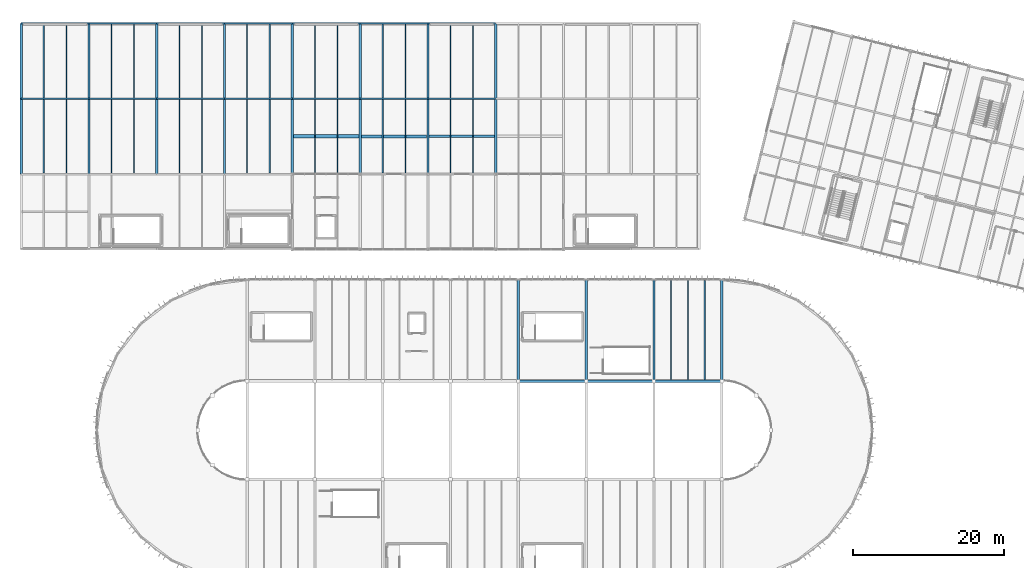
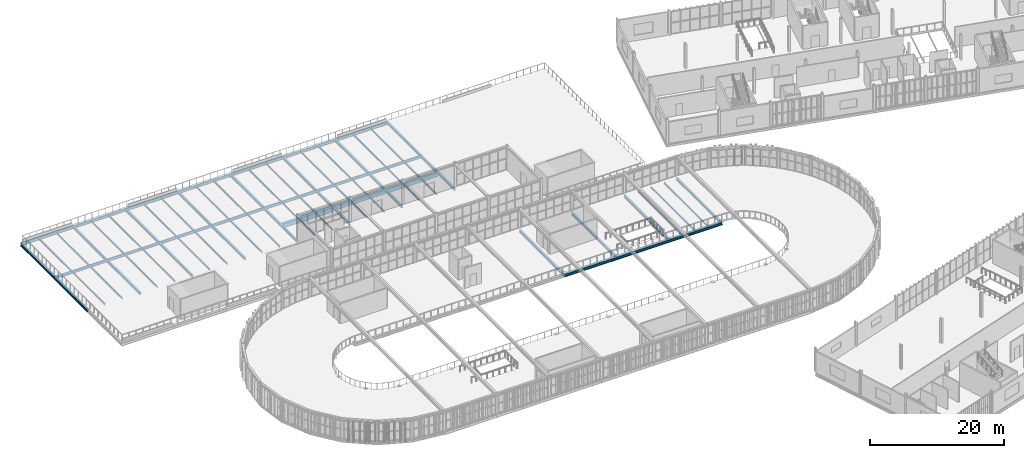
# One storey, part 65 of 152: 71 beams.
"""IFC4 building model written with IfcOpenShell, lengths in metres."""

from ifc_helpers import new_model, si_unit, derived_unit, direction, frame, origin, origin_2d, place, context, subcontext, project, spatial, rectangle, i_section, extrude, material, material_profile, profile_set, type_object, element, save


model = new_model("IFC4")

# Units and contexts
model_context = context("Model", 3, precision=1e-05, world=origin(), true_north=direction((0.0, 1.0)))
body_context = subcontext(model_context, "Body", "Model", "MODEL_VIEW")
ifc_project = project(units=[si_unit("LENGTHUNIT", "METRE"), si_unit("AREAUNIT", "SQUARE_METRE"), si_unit("VOLUMEUNIT", "CUBIC_METRE"), si_unit("PLANEANGLEUNIT", "RADIAN"), si_unit("MASSUNIT", "GRAM", prefix="KILO"), si_unit("THERMODYNAMICTEMPERATUREUNIT", "KELVIN"), si_unit("TIMEUNIT", "SECOND"), derived_unit("THERMALTRANSMITTANCEUNIT", [(si_unit("MASSUNIT", "GRAM", prefix="KILO"), 1), (si_unit("THERMODYNAMICTEMPERATUREUNIT", "KELVIN"), -1), (si_unit("TIMEUNIT", "SECOND"), -3)])], contexts=[model_context])

# Site, building, storey
site_placement = place(None, origin())
site = spatial("IfcSite", under=ifc_project, at=site_placement, CompositionType="ELEMENT")
building_placement = place(site_placement, origin())
building = spatial("IfcBuilding", under=site, at=building_placement, Name="Cambertide Market Hall", CompositionType="ELEMENT")
storey_placement = place(building_placement, frame((0.0, 0.0, 5.39990234375)))
storey = spatial("IfcBuildingStorey", under=building, at=storey_placement, Name="L02", CompositionType="ELEMENT", Elevation=5.39990234375)

# Beams
ifc_material_1 = material(Name="Concrete B30", Category="concrete")
ifc_material_profile_1 = material_profile(ifc_material_1, rectangle(XDim=0.35009765625, YDim=0.75, at=origin_2d()), Name="RC 350x750")
ifc_profile_set_1 = profile_set([ifc_material_profile_1], Name="Concrete B30")
beam_type_1 = type_object("IfcBeamType", Name="Concrete Girder RC 350x750", PredefinedType="BEAM", material=ifc_profile_set_1)
beam_1_placement = place(storey_placement, frame((66.157958984375, 111.0, -0.664794921875), z_axis=(1.0, 0.0, 0.0), x_axis=(0.0, 1.0, 0.0)))
element("IfcBeam", 1, at=beam_1_placement, inside=storey, type_object=beam_type_1, Name="Level 2 Beam TRIM-V2-TERR-5", PredefinedType="BEAM", context=body_context, shape_type="SweptSolid", body=[
    extrude(rectangle(XDim=0.35009765625, YDim=0.75, at=origin_2d()), origin(), (0.0, 0.0, 1.0), 8.68408203125),
])
ifc_material_2 = material(Name="Concrete B30", Category="concrete")
ifc_material_profile_2 = material_profile(ifc_material_2, rectangle(XDim=0.39990234375, YDim=0.699951171875, at=origin_2d()), Name="RC 400x700")
ifc_profile_set_2 = profile_set([ifc_material_profile_2], Name="Concrete B30")
beam_type_2 = type_object("IfcBeamType", Name="Concrete Girder RC 400x700", PredefinedType="BEAM", material=ifc_profile_set_2)
beam_2_placement = place(storey_placement, frame((57.157958984375, 111.0, -0.639892578125), z_axis=(1.0, 0.0, 0.0), x_axis=(0.0, 1.0, 0.0)))
element("IfcBeam", 2, at=beam_2_placement, inside=storey, type_object=beam_type_2, Name="Level 2 Beam TRIM-V2-TERR-4", PredefinedType="BEAM", context=body_context, shape_type="SweptSolid", body=[
    extrude(rectangle(XDim=0.39990234375, YDim=0.699951171875, at=origin_2d()), origin(), (0.0, 0.0, 1.0), 8.68408203125),
])
ifc_material_3 = material(Name="Concrete B35", Category="concrete")
ifc_material_profile_3 = material_profile(ifc_material_3, rectangle(XDim=0.449951171875, YDim=0.800048828125, at=origin_2d()), Name="RC 450x800")
ifc_profile_set_3 = profile_set([ifc_material_profile_3], Name="Concrete B35")
beam_type_3 = type_object("IfcBeamType", Name="Concrete Girder RC 450x800", PredefinedType="BEAM", material=ifc_profile_set_3)
beam_3_placement = place(storey_placement, frame((48.157958984375, 111.0, -0.68994140625), z_axis=(1.0, 0.0, 0.0), x_axis=(0.0, 1.0, 0.0)))
element("IfcBeam", 3, at=beam_3_placement, inside=storey, type_object=beam_type_3, Name="Level 2 Beam TRIM-V2-TERR-3", PredefinedType="BEAM", context=body_context, shape_type="SweptSolid", body=[
    extrude(rectangle(XDim=0.449951171875, YDim=0.800048828125, at=origin_2d()), origin(), (0.0, 0.0, 1.0), 8.68408203125),
])
ifc_material_4 = material(Name="Steel S355", Category="steel")
ifc_material_profile_4 = material_profile(ifc_material_4, i_section(OverallWidth=0.300048828125, OverallDepth=0.39990234375, WebThickness=0.013427734375, FlangeThickness=0.02392578125, FilletRadius=0.027099609375, at=origin_2d()), Name="HEB 400")
ifc_profile_set_4 = profile_set([ifc_material_profile_4], Name="Steel S355")
beam_type_4 = type_object("IfcBeamType", Name="Steel Girder HEB 400", PredefinedType="BEAM", material=ifc_profile_set_4)
for number, where, z_axis, x_axis, name in (
    (4, (12.0, 106.0, -0.489990234375), (0.0, 1.0, 0.0), (-1.0, 0.0, 0.0), "Level 2 Beam BM-V2Y-L02-1-2"),
    (5, (12.0, 116.0, -0.489990234375), (0.0, 1.0, 0.0), (-1.0, 0.0, 0.0), "Level 2 Beam BM-V2Y-L02-1-3"),
    (6, (21.0, 106.0, -0.489990234375), (0.0, 1.0, 0.0), (-1.0, 0.0, 0.0), "Level 2 Beam BM-V2Y-L02-2-2"),
    (7, (21.0, 116.0, -0.489990234375), (0.0, 1.0, 0.0), (-1.0, 0.0, 0.0), "Level 2 Beam BM-V2Y-L02-2-3"),
    (8, (30.0, 106.0, -0.489990234375), (0.0, 1.0, 0.0), (-1.0, 0.0, 0.0), "Level 2 Beam BM-V2Y-L02-3-2"),
    (9, (30.0, 116.0, -0.489990234375), (0.0, 1.0, 0.0), (-1.0, 0.0, 0.0), "Level 2 Beam BM-V2Y-L02-3-3"),
    (10, (39.0, 106.0, -0.489990234375), (0.0, 1.0, 0.0), (-1.0, 0.0, 0.0), "Level 2 Beam BM-V2Y-L02-4-2"),
    (11, (39.0, 116.0, -0.489990234375), (0.0, 1.0, 0.0), (-1.0, 0.0, 0.0), "Level 2 Beam BM-V2Y-L02-4-3"),
    (12, (48.0, 106.0, -0.489990234375), (0.0, 1.0, 0.0), (-1.0, 0.0, 0.0), "Level 2 Beam BM-V2Y-L02-5-2"),
    (13, (48.0, 116.0, -0.489990234375), (0.0, 1.0, 0.0), (-1.0, 0.0, 0.0), "Level 2 Beam BM-V2Y-L02-5-3"),
    (14, (57.0, 106.0, -0.489990234375), (0.0, 1.0, 0.0), (-1.0, 0.0, 0.0), "Level 2 Beam BM-V2Y-L02-6-2"),
    (15, (57.0, 116.0, -0.489990234375), (0.0, 1.0, 0.0), (-1.0, 0.0, 0.0), "Level 2 Beam BM-V2Y-L02-6-3"),
    (16, (66.0, 106.0, -0.489990234375), (0.0, 1.0, 0.0), (-1.0, 0.0, 0.0), "Level 2 Beam BM-V2Y-L02-7-2"),
    (17, (66.0, 116.0, -0.489990234375), (0.0, 1.0, 0.0), (-1.0, 0.0, 0.0), "Level 2 Beam BM-V2Y-L02-7-3"),
    (18, (75.0, 106.0, -0.489990234375), (0.0, 1.0, 0.0), (-1.0, 0.0, 0.0), "Level 2 Beam BM-V2Y-L02-8-2"),
    (19, (75.0, 116.0, -0.489990234375), (0.0, 1.0, 0.0), (-1.0, 0.0, 0.0), "Level 2 Beam BM-V2Y-L02-8-3"),
):
    element("IfcBeam", number, at=place(storey_placement, frame(where, z_axis=z_axis, x_axis=x_axis)), inside=storey, type_object=beam_type_4, Name=name, PredefinedType="BEAM", context=body_context, shape_type="SweptSolid", body=[
        extrude(i_section(OverallWidth=0.300048828125, OverallDepth=0.39990234375, WebThickness=0.013427734375, FlangeThickness=0.02392578125, FilletRadius=0.027099609375, at=origin_2d()), origin(), (0.0, 0.0, 1.0), 10.0),
    ])
ifc_material_5 = material(Name="Steel S355", Category="steel")
ifc_material_profile_5 = material_profile(ifc_material_5, i_section(OverallWidth=0.300048828125, OverallDepth=0.449951171875, WebThickness=0.013916015625, FlangeThickness=0.02587890625, FilletRadius=0.027099609375, at=origin_2d()), Name="HEB 450")
ifc_profile_set_5 = profile_set([ifc_material_profile_5], Name="Steel S355")
beam_type_5 = type_object("IfcBeamType", Name="Steel Girder HEB 450", PredefinedType="BEAM", material=ifc_profile_set_5)
for number, where, z_axis, x_axis, name in (
    (20, (78.0, 78.5, -0.46484375), (1.0, 0.0, 0.0), (0.0, 1.0, 0.0), "Level 2 Beam BM-V1MN-L02-5"),
    (21, (87.0, 78.5, -0.46484375), (1.0, 0.0, 0.0), (0.0, 1.0, 0.0), "Level 2 Beam BM-V1MN-L02-6"),
    (22, (96.0, 78.5, -0.46484375), (1.0, 0.0, 0.0), (0.0, 1.0, 0.0), "Level 2 Beam BM-V1MN-L02-7"),
):
    element("IfcBeam", number, at=place(storey_placement, frame(where, z_axis=z_axis, x_axis=x_axis)), inside=storey, type_object=beam_type_5, Name=name, PredefinedType="BEAM", context=body_context, shape_type="SweptSolid", body=[
        extrude(i_section(OverallWidth=0.300048828125, OverallDepth=0.449951171875, WebThickness=0.013916015625, FlangeThickness=0.02587890625, FilletRadius=0.027099609375, at=origin_2d()), origin(), (0.0, 0.0, 1.0), 9.0),
    ])
for number, where, z_axis, x_axis, name in (
    (23, (78.0, 78.5, -0.46484375), (0.0, 1.0, 0.0), (-1.0, 0.0, 0.0), "Level 2 Beam BM-V1TN-L02-5"),
    (24, (87.0, 78.5, -0.46484375), (0.0, 1.0, 0.0), (-1.0, 0.0, 0.0), "Level 2 Beam BM-V1TN-L02-6"),
    (25, (96.0, 78.5, -0.46484375), (0.0, 1.0, 0.0), (-1.0, 0.0, 0.0), "Level 2 Beam BM-V1TN-L02-7"),
    (26, (105.0, 78.5, -0.46484375), (0.0, 1.0, 0.0), (-1.0, 0.0, 0.0), "Level 2 Beam BM-V1TN-L02-8"),
):
    element("IfcBeam", number, at=place(storey_placement, frame(where, z_axis=z_axis, x_axis=x_axis)), inside=storey, type_object=beam_type_5, Name=name, PredefinedType="BEAM", context=body_context, shape_type="SweptSolid", body=[
        extrude(i_section(OverallWidth=0.300048828125, OverallDepth=0.449951171875, WebThickness=0.013916015625, FlangeThickness=0.02587890625, FilletRadius=0.027099609375, at=origin_2d()), origin(), (0.0, 0.0, 1.0), 13.5),
    ])
ifc_material_6 = material(Name="Steel S355", Category="steel")
ifc_material_profile_6 = material_profile(ifc_material_6, i_section(OverallWidth=0.199951171875, OverallDepth=0.5, WebThickness=0.01025390625, FlangeThickness=0.01611328125, FilletRadius=0.02099609375, at=origin_2d()), Name="IPE 500")
ifc_profile_set_6 = profile_set([ifc_material_profile_6], Name="Steel S355")
beam_type_6 = type_object("IfcBeamType", Name="Steel Girder IPE 500", PredefinedType="BEAM", material=ifc_profile_set_6)
for number, where, z_axis, x_axis, name in (
    (27, (12.0, 116.0, -0.539794921875), (1.0, 0.0, 0.0), (0.0, 1.0, 0.0), "Level 2 Beam BM-V2X-L02-1-3"),
    (28, (12.0, 126.0, -0.539794921875), (1.0, 0.0, 0.0), (0.0, 1.0, 0.0), "Level 2 Beam BM-V2X-L02-1-4"),
    (29, (21.0, 116.0, -0.539794921875), (1.0, 0.0, 0.0), (0.0, 1.0, 0.0), "Level 2 Beam BM-V2X-L02-2-3"),
    (30, (21.0, 126.0, -0.539794921875), (1.0, 0.0, 0.0), (0.0, 1.0, 0.0), "Level 2 Beam BM-V2X-L02-2-4"),
    (31, (30.0, 116.0, -0.539794921875), (1.0, 0.0, 0.0), (0.0, 1.0, 0.0), "Level 2 Beam BM-V2X-L02-3-3"),
    (32, (30.0, 126.0, -0.539794921875), (1.0, 0.0, 0.0), (0.0, 1.0, 0.0), "Level 2 Beam BM-V2X-L02-3-4"),
    (33, (39.0, 116.0, -0.539794921875), (1.0, 0.0, 0.0), (0.0, 1.0, 0.0), "Level 2 Beam BM-V2X-L02-4-3"),
    (34, (39.0, 126.0, -0.539794921875), (1.0, 0.0, 0.0), (0.0, 1.0, 0.0), "Level 2 Beam BM-V2X-L02-4-4"),
    (35, (48.0, 116.0, -0.539794921875), (1.0, 0.0, 0.0), (0.0, 1.0, 0.0), "Level 2 Beam BM-V2X-L02-5-3"),
    (36, (48.0, 126.0, -0.539794921875), (1.0, 0.0, 0.0), (0.0, 1.0, 0.0), "Level 2 Beam BM-V2X-L02-5-4"),
    (37, (57.0, 116.0, -0.539794921875), (1.0, 0.0, 0.0), (0.0, 1.0, 0.0), "Level 2 Beam BM-V2X-L02-6-3"),
    (38, (57.0, 126.0, -0.539794921875), (1.0, 0.0, 0.0), (0.0, 1.0, 0.0), "Level 2 Beam BM-V2X-L02-6-4"),
    (39, (66.0, 116.0, -0.539794921875), (1.0, 0.0, 0.0), (0.0, 1.0, 0.0), "Level 2 Beam BM-V2X-L02-7-3"),
    (40, (66.0, 126.0, -0.539794921875), (1.0, 0.0, 0.0), (0.0, 1.0, 0.0), "Level 2 Beam BM-V2X-L02-7-4"),
):
    element("IfcBeam", number, at=place(storey_placement, frame(where, z_axis=z_axis, x_axis=x_axis)), inside=storey, type_object=beam_type_6, Name=name, PredefinedType="BEAM", context=body_context, shape_type="SweptSolid", body=[
        extrude(i_section(OverallWidth=0.199951171875, OverallDepth=0.5, WebThickness=0.01025390625, FlangeThickness=0.01611328125, FilletRadius=0.02099609375, at=origin_2d()), origin(), (0.0, 0.0, 1.0), 9.0),
    ])
ifc_material_7 = material(Name="Steel S275", Category="steel")
ifc_material_profile_7 = material_profile(ifc_material_7, i_section(OverallWidth=0.14990234375, OverallDepth=0.300048828125, WebThickness=0.007080078125, FlangeThickness=0.0107421875, FilletRadius=0.014892578125, at=origin_2d()), Name="IPE 300")
ifc_profile_set_7 = profile_set([ifc_material_profile_7], Name="Steel S275")
beam_type_7 = type_object("IfcBeamType", Name="Steel Secondary Joist IPE 300", PredefinedType="JOIST", material=ifc_profile_set_7)
for number, where, z_axis, x_axis, name in (
    (41, (98.25, 78.657958984375, -0.389892578125), (0.0, 1.0, 0.0), (-1.0, 0.0, 0.0), "Level 2 Joist JS-V1N-L02-7-1"),
    (42, (100.5, 78.657958984375, -0.389892578125), (0.0, 1.0, 0.0), (-1.0, 0.0, 0.0), "Level 2 Joist JS-V1N-L02-7-2"),
    (43, (102.75, 78.657958984375, -0.389892578125), (0.0, 1.0, 0.0), (-1.0, 0.0, 0.0), "Level 2 Joist JS-V1N-L02-7-3"),
):
    element("IfcBeam", number, at=place(storey_placement, frame(where, z_axis=z_axis, x_axis=x_axis)), inside=storey, type_object=beam_type_7, Name=name, PredefinedType="JOIST", context=body_context, shape_type="SweptSolid", body=[
        extrude(i_section(OverallWidth=0.14990234375, OverallDepth=0.300048828125, WebThickness=0.007080078125, FlangeThickness=0.0107421875, FilletRadius=0.014892578125, at=origin_2d()), origin(), (0.0, 0.0, 1.0), 13.234130859375),
    ])
for number, where, z_axis, x_axis, name in (
    (44, (15.0, 106.10791015625, -0.43994140625), (0.0, 1.0, 0.0), (-1.0, 0.0, 0.0), "Level 2 Joist JS-V2-L02-1-2-1"),
    (45, (18.0, 106.10791015625, -0.43994140625), (0.0, 1.0, 0.0), (-1.0, 0.0, 0.0), "Level 2 Joist JS-V2-L02-1-2-2"),
    (46, (15.0, 116.10791015625, -0.43994140625), (0.0, 1.0, 0.0), (-1.0, 0.0, 0.0), "Level 2 Joist JS-V2-L02-1-3-1"),
    (47, (18.0, 116.10791015625, -0.43994140625), (0.0, 1.0, 0.0), (-1.0, 0.0, 0.0), "Level 2 Joist JS-V2-L02-1-3-2"),
    (48, (24.0, 106.10791015625, -0.43994140625), (0.0, 1.0, 0.0), (-1.0, 0.0, 0.0), "Level 2 Joist JS-V2-L02-2-2-1"),
    (49, (27.0, 106.10791015625, -0.43994140625), (0.0, 1.0, 0.0), (-1.0, 0.0, 0.0), "Level 2 Joist JS-V2-L02-2-2-2"),
    (50, (24.0, 116.10791015625, -0.43994140625), (0.0, 1.0, 0.0), (-1.0, 0.0, 0.0), "Level 2 Joist JS-V2-L02-2-3-1"),
    (51, (27.0, 116.10791015625, -0.43994140625), (0.0, 1.0, 0.0), (-1.0, 0.0, 0.0), "Level 2 Joist JS-V2-L02-2-3-2"),
    (52, (33.0, 106.10791015625, -0.43994140625), (0.0, 1.0, 0.0), (-1.0, 0.0, 0.0), "Level 2 Joist JS-V2-L02-3-2-1"),
    (53, (36.0, 106.10791015625, -0.43994140625), (0.0, 1.0, 0.0), (-1.0, 0.0, 0.0), "Level 2 Joist JS-V2-L02-3-2-2"),
    (54, (33.0, 116.10791015625, -0.43994140625), (0.0, 1.0, 0.0), (-1.0, 0.0, 0.0), "Level 2 Joist JS-V2-L02-3-3-1"),
    (55, (36.0, 116.10791015625, -0.43994140625), (0.0, 1.0, 0.0), (-1.0, 0.0, 0.0), "Level 2 Joist JS-V2-L02-3-3-2"),
    (56, (42.0, 106.10791015625, -0.43994140625), (0.0, 1.0, 0.0), (-1.0, 0.0, 0.0), "Level 2 Joist JS-V2-L02-4-2-1"),
    (57, (45.0, 106.10791015625, -0.43994140625), (0.0, 1.0, 0.0), (-1.0, 0.0, 0.0), "Level 2 Joist JS-V2-L02-4-2-2"),
    (58, (42.0, 116.10791015625, -0.43994140625), (0.0, 1.0, 0.0), (-1.0, 0.0, 0.0), "Level 2 Joist JS-V2-L02-4-3-1"),
    (59, (45.0, 116.10791015625, -0.43994140625), (0.0, 1.0, 0.0), (-1.0, 0.0, 0.0), "Level 2 Joist JS-V2-L02-4-3-2"),
    (60, (51.0, 106.10791015625, -0.43994140625), (0.0, 1.0, 0.0), (-1.0, 0.0, 0.0), "Level 2 Joist JS-V2-L02-5-2-1"),
    (61, (54.0, 106.10791015625, -0.43994140625), (0.0, 1.0, 0.0), (-1.0, 0.0, 0.0), "Level 2 Joist JS-V2-L02-5-2-2"),
    (62, (51.0, 116.10791015625, -0.43994140625), (0.0, 1.0, 0.0), (-1.0, 0.0, 0.0), "Level 2 Joist JS-V2-L02-5-3-1"),
    (63, (54.0, 116.10791015625, -0.43994140625), (0.0, 1.0, 0.0), (-1.0, 0.0, 0.0), "Level 2 Joist JS-V2-L02-5-3-2"),
    (64, (60.0, 106.10791015625, -0.43994140625), (0.0, 1.0, 0.0), (-1.0, 0.0, 0.0), "Level 2 Joist JS-V2-L02-6-2-1"),
    (65, (63.0, 106.10791015625, -0.43994140625), (0.0, 1.0, 0.0), (-1.0, 0.0, 0.0), "Level 2 Joist JS-V2-L02-6-2-2"),
    (66, (60.0, 116.10791015625, -0.43994140625), (0.0, 1.0, 0.0), (-1.0, 0.0, 0.0), "Level 2 Joist JS-V2-L02-6-3-1"),
    (67, (63.0, 116.10791015625, -0.43994140625), (0.0, 1.0, 0.0), (-1.0, 0.0, 0.0), "Level 2 Joist JS-V2-L02-6-3-2"),
    (68, (69.0, 106.10791015625, -0.43994140625), (0.0, 1.0, 0.0), (-1.0, 0.0, 0.0), "Level 2 Joist JS-V2-L02-7-2-1"),
    (69, (72.0, 106.10791015625, -0.43994140625), (0.0, 1.0, 0.0), (-1.0, 0.0, 0.0), "Level 2 Joist JS-V2-L02-7-2-2"),
    (70, (69.0, 116.10791015625, -0.43994140625), (0.0, 1.0, 0.0), (-1.0, 0.0, 0.0), "Level 2 Joist JS-V2-L02-7-3-1"),
    (71, (72.0, 116.10791015625, -0.43994140625), (0.0, 1.0, 0.0), (-1.0, 0.0, 0.0), "Level 2 Joist JS-V2-L02-7-3-2"),
):
    element("IfcBeam", number, at=place(storey_placement, frame(where, z_axis=z_axis, x_axis=x_axis)), inside=storey, type_object=beam_type_7, Name=name, PredefinedType="JOIST", context=body_context, shape_type="SweptSolid", body=[
        extrude(i_section(OverallWidth=0.14990234375, OverallDepth=0.300048828125, WebThickness=0.007080078125, FlangeThickness=0.0107421875, FilletRadius=0.014892578125, at=origin_2d()), origin(), (0.0, 0.0, 1.0), 9.7841796875),
    ])

save(model, "model.ifc")
